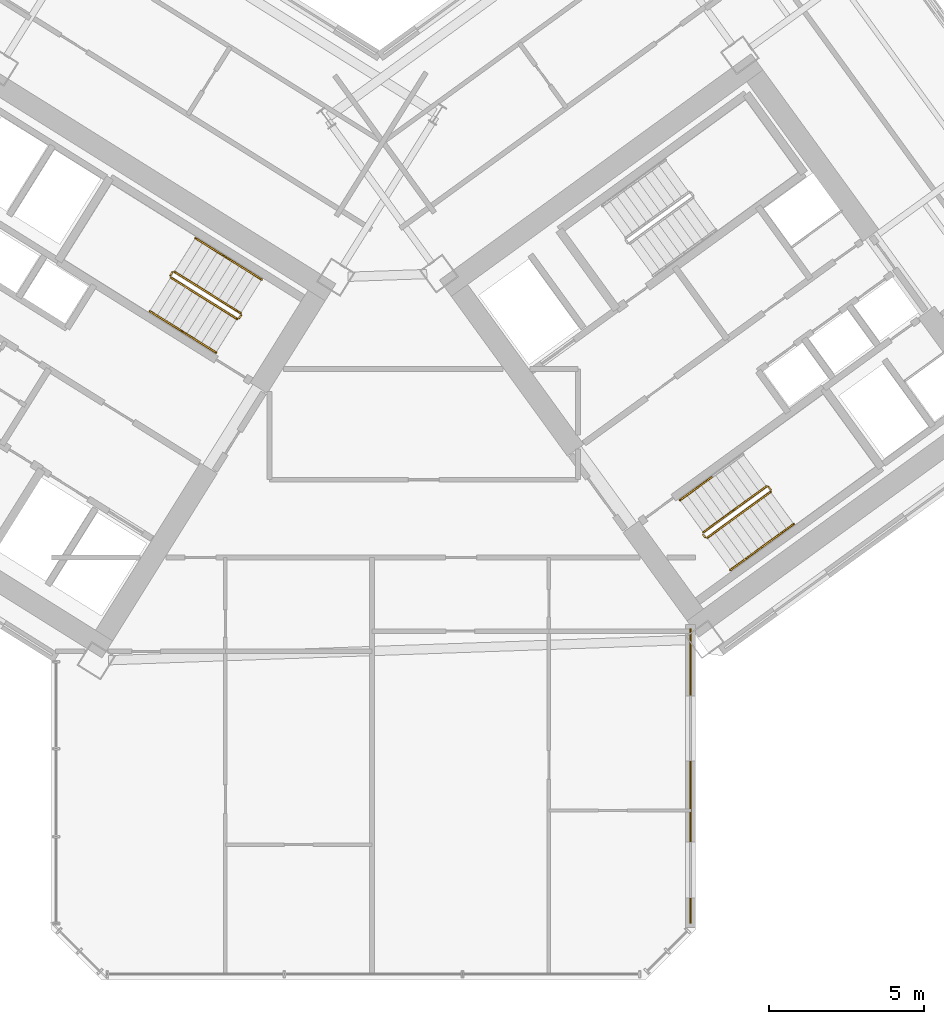
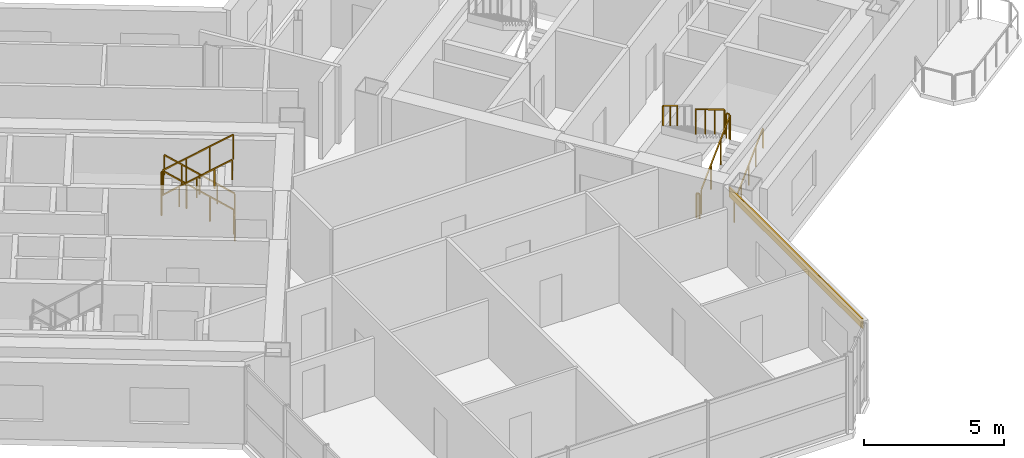
# One storey, part 19 of 21: 15 railings, 1 covering.
"""IFC4 building model written with IfcOpenShell, lengths in metres."""

from ifc_helpers import new_model, si_unit, direction, frame, origin, origin_2d, place, context, subcontext, project, spatial, rectangle, extrude, source, transform, mapped, material, layer, layer_set, type_object, element, save


model = new_model("IFC4")

# Units and contexts
model_context = context("Model", 3, precision=1e-05, world=origin(), true_north=direction((0.0, 1.0)))
body_context = subcontext(model_context, "Body", "Model", "MODEL_VIEW")
ifc_project = project(units=[si_unit("LENGTHUNIT", "METRE"), si_unit("AREAUNIT", "SQUARE_METRE"), si_unit("VOLUMEUNIT", "CUBIC_METRE"), si_unit("PLANEANGLEUNIT", "RADIAN"), si_unit("MASSUNIT", "GRAM", prefix="KILO")], contexts=[model_context])

# Site, building, storey
site_placement = place(None, origin())
site = spatial("IfcSite", under=ifc_project, at=site_placement, CompositionType="ELEMENT")
building_placement = place(site_placement, origin())
building = spatial("IfcBuilding", under=site, at=building_placement, Name="Tlacorven Tower", CompositionType="ELEMENT")
storey_placement = place(building_placement, frame((0.0, 0.0, 90.0)))
storey = spatial("IfcBuildingStorey", under=building, at=storey_placement, Name="L22", CompositionType="ELEMENT", Elevation=90.0)

# Covering
ifc_material_1 = material(Name="Precast concrete C45/55", Category="concrete")
ifc_layer = layer(ifc_material_1, 0.06005859375)
ifc_layer_set = layer_set([ifc_layer], Name="Precast concrete C45/55")
covering_type = type_object("IfcCoveringType", Name="CV-CLD-TERC", PredefinedType="CLADDING", material=ifc_layer_set)
shared_shape_1 = source(origin(), body_context, "Body", "SweptSolid", [
    extrude(rectangle(XDim=9.49462890625, YDim=0.06005859375, at=origin_2d()), origin(), (0.0, 0.0, 1.0), 0.419921875),
])
covering_placement = place(storey_placement, frame((52.239990234375, 8.363525390625, 2.929931640625), z_axis=(0.0, 0.0, 1.0), x_axis=(0.0, -1.0, 0.0)))
element("IfcCovering", 1, at=covering_placement, inside=storey, type_object=covering_type, Name="L22 Masonry-Frame Spandrel Cladding 7", PredefinedType="CLADDING", context=body_context, shape_type="MappedRepresentation", body=[
    mapped(shared_shape_1, transform((0.0, 0.0, 0.0), scale=1.0)),
])

# Railings
ifc_material_2 = material(Name="Aluminium and painted steel balustrade", Category="steel")
railing_type_1 = type_object("IfcRailingType", Name="RL-GRD-1100", PredefinedType="GUARDRAIL", material=ifc_material_2)
shared_shape_2 = source(origin(), body_context, "Body", "SweptSolid", [
    extrude(rectangle(XDim=0.048095703125, YDim=0.048095703125, at=origin_2d()), frame((0.0, 0.0, 1.076171875), z_axis=(-0.713319727316, 0.445773895627, 0.540796265334), x_axis=(-0.529955395941, -0.84802551749, 0.0)), (0.0, 0.0, 1.0), 2.995849609375),
    extrude(rectangle(XDim=0.0419921875, YDim=0.0419921875, at=origin_2d()), origin(), (0.0, 0.0, 1.0), 1.052001953125),
    extrude(rectangle(XDim=0.0419921875, YDim=0.0419921875, at=origin_2d()), frame((-0.71240234375, 0.445068359375, 0.5400390625)), (0.0, 0.0, 1.0), 1.052001953125),
    extrude(rectangle(XDim=0.0419921875, YDim=0.0419921875, at=origin_2d()), frame((-1.424560546875, 0.890380859375, 1.080078125)), (0.0, 0.0, 1.0), 1.052001953125),
    extrude(rectangle(XDim=0.0419921875, YDim=0.0419921875, at=origin_2d()), frame((-2.136962890625, 1.33544921875, 1.6201171875)), (0.0, 0.0, 1.0), 1.052001953125),
])
railing_1_placement = place(storey_placement, frame((37.712158203125, 23.3095703125, 0.179931640625)))
element("IfcRailing", 2, at=railing_1_placement, inside=storey, type_object=railing_type_1, Name="L22 ST-W2 stair guard 1", PredefinedType="GUARDRAIL", context=body_context, shape_type="MappedRepresentation", body=[
    mapped(shared_shape_2, transform((0.0, 0.0, 0.0), scale=1.0)),
])
shared_shape_3 = source(origin(), body_context, "Body", "SweptSolid", [
    extrude(rectangle(XDim=0.048095703125, YDim=0.048095703125, at=origin_2d()), frame((0.0, 0.0, 1.076171875), z_axis=(-0.530546985787, -0.847655529016, 0.0), x_axis=(0.847655529016, -0.530546985787, 0.0)), (0.0, 0.0, 1.0), 0.1201171875),
    extrude(rectangle(XDim=0.0419921875, YDim=0.0419921875, at=origin_2d()), origin(), (0.0, 0.0, 1.0), 1.052001953125),
    extrude(rectangle(XDim=0.0419921875, YDim=0.0419921875, at=origin_2d()), frame((-0.063720703125, -0.101806640625, 0.0)), (0.0, 0.0, 1.0), 1.052001953125),
])
railing_2_placement = place(storey_placement, frame((37.728271484375, 23.24072265625, 0.0)))
element("IfcRailing", 3, at=railing_2_placement, inside=storey, type_object=railing_type_1, Name="L22 ST-W2 stair guard 4", PredefinedType="GUARDRAIL", context=body_context, shape_type="MappedRepresentation", body=[
    mapped(shared_shape_3, transform((0.0, 0.0, 0.0), scale=1.0)),
])
railing_type_2 = type_object("IfcRailingType", Name="RL-HND-0900", PredefinedType="HANDRAIL", material=ifc_material_2)
shared_shape_4 = source(origin(), body_context, "Body", "SweptSolid", [
    extrude(rectangle(XDim=0.048095703125, YDim=0.048095703125, at=origin_2d()), frame((0.0, 0.0, 0.8759765625), z_axis=(-0.713359751793, 0.4457479829, 0.540764828981), x_axis=(-0.529911857636, -0.848052724267, 0.0)), (0.0, 0.0, 1.0), 1.498046875),
    extrude(rectangle(XDim=0.0419921875, YDim=0.0419921875, at=origin_2d()), origin(), (0.0, 0.0, 1.0), 0.851806640625),
    extrude(rectangle(XDim=0.0419921875, YDim=0.0419921875, at=origin_2d()), frame((-0.5341796875, 0.333984375, 0.405029296875)), (0.0, 0.0, 1.0), 0.851806640625),
    extrude(rectangle(XDim=0.0419921875, YDim=0.0419921875, at=origin_2d()), frame((-1.068603515625, 0.667724609375, 0.81005859375)), (0.0, 0.0, 1.0), 0.851806640625),
])
for number, where, name in (
    (4, (38.390625, 24.39501953125, 0.179931640625), "L22 ST-W2 stair handrail 1"),
    (5, (37.322021484375, 25.062744140625, 0.989990234375), "L22 ST-W2 stair handrail 2"),
):
    element("IfcRailing", number, at=place(storey_placement, frame(where)), inside=storey, type_object=railing_type_2, Name=name, PredefinedType="HANDRAIL", context=body_context, shape_type="MappedRepresentation", body=[
        mapped(shared_shape_4, transform((0.0, 0.0, 0.0), scale=1.0)),
    ])
shared_shape_5 = source(origin(), body_context, "Body", "SweptSolid", [
    extrude(rectangle(XDim=0.048095703125, YDim=0.048095703125, at=origin_2d()), frame((0.0, 0.0, 0.8759765625), z_axis=(0.713359751793, -0.4457479829, 0.540764828981), x_axis=(0.529911857636, 0.848052724267, 0.0)), (0.0, 0.0, 1.0), 1.498046875),
    extrude(rectangle(XDim=0.0419921875, YDim=0.0419921875, at=origin_2d()), origin(), (0.0, 0.0, 1.0), 0.851806640625),
    extrude(rectangle(XDim=0.0419921875, YDim=0.0419921875, at=origin_2d()), frame((0.5341796875, -0.333984375, 0.405029296875)), (0.0, 0.0, 1.0), 0.851806640625),
    extrude(rectangle(XDim=0.0419921875, YDim=0.0419921875, at=origin_2d()), frame((1.068603515625, -0.667724609375, 0.81005859375)), (0.0, 0.0, 1.0), 0.851806640625),
])
for number, where, name in (
    (6, (34.7802734375, 23.372802734375, 1.97998046875), "L22 ST-W2 stair handrail 3"),
    (7, (35.848876953125, 22.705078125, 2.7900390625), "L22 ST-W2 stair handrail 4"),
):
    element("IfcRailing", number, at=place(storey_placement, frame(where)), inside=storey, type_object=railing_type_2, Name=name, PredefinedType="HANDRAIL", context=body_context, shape_type="MappedRepresentation", body=[
        mapped(shared_shape_5, transform((0.0, 0.0, 0.0), scale=1.0)),
    ])
shared_shape_6 = source(origin(), body_context, "Body", "SweptSolid", [
    extrude(rectangle(XDim=0.048095703125, YDim=0.048095703125, at=origin_2d()), frame((0.0, 0.0, 1.076171875), z_axis=(-0.531462422766, -0.847081869236, 0.0), x_axis=(0.847081869236, -0.531462422766, 0.0)), (0.0, 0.0, 1.0), 0.119873046875),
    extrude(rectangle(XDim=0.0419921875, YDim=0.0419921875, at=origin_2d()), origin(), (0.0, 0.0, 1.0), 1.052001953125),
    extrude(rectangle(XDim=0.0419921875, YDim=0.0419921875, at=origin_2d()), frame((-0.063720703125, -0.1015625, 0.0)), (0.0, 0.0, 1.0), 1.052001953125),
])
railing_3_placement = place(storey_placement, frame((35.50634765625, 24.62890625, 1.800048828125)))
element("IfcRailing", 8, at=railing_3_placement, inside=storey, type_object=railing_type_1, Name="L22 ST-W2 stair guard 2", PredefinedType="GUARDRAIL", context=body_context, shape_type="MappedRepresentation", body=[
    mapped(shared_shape_6, transform((0.0, 0.0, 0.0), scale=1.0)),
])
shared_shape_7 = source(origin(), body_context, "Body", "SweptSolid", [
    extrude(rectangle(XDim=0.048095703125, YDim=0.048095703125, at=origin_2d()), frame((0.0, 0.0, 1.076171875), z_axis=(0.713385662783, -0.445682681033, 0.540784470897), x_axis=(0.52984217967, 0.848096259066, 0.0)), (0.0, 0.0, 1.0), 2.995849609375),
    extrude(rectangle(XDim=0.0419921875, YDim=0.0419921875, at=origin_2d()), origin(), (0.0, 0.0, 1.0), 1.052001953125),
    extrude(rectangle(XDim=0.0419921875, YDim=0.0419921875, at=origin_2d()), frame((0.71240234375, -0.445068359375, 0.5400390625)), (0.0, 0.0, 1.0), 1.052001953125),
    extrude(rectangle(XDim=0.0419921875, YDim=0.0419921875, at=origin_2d()), frame((1.4248046875, -0.89013671875, 1.080078125)), (0.0, 0.0, 1.0), 1.052001953125),
    extrude(rectangle(XDim=0.0419921875, YDim=0.0419921875, at=origin_2d()), frame((2.13720703125, -1.335205078125, 1.6201171875)), (0.0, 0.0, 1.0), 1.052001953125),
])
railing_4_placement = place(storey_placement, frame((35.45849609375, 24.458251953125, 1.97998046875)))
element("IfcRailing", 9, at=railing_4_placement, inside=storey, type_object=railing_type_1, Name="L22 ST-W2 stair guard 3", PredefinedType="GUARDRAIL", context=body_context, shape_type="MappedRepresentation", body=[
    mapped(shared_shape_7, transform((0.0, 0.0, 0.0), scale=1.0)),
])
shared_shape_8 = source(origin(), body_context, "Body", "SweptSolid", [
    extrude(rectangle(XDim=0.048095703125, YDim=0.048095703125, at=origin_2d()), frame((0.0, 0.0, 1.076171875), z_axis=(-0.587567097037, 0.809175448515, 0.0), x_axis=(-0.809175448515, -0.587567097037, 0.0)), (0.0, 0.0, 1.0), 0.1201171875),
    extrude(rectangle(XDim=0.0419921875, YDim=0.0419921875, at=origin_2d()), origin(), (0.0, 0.0, 1.0), 1.052001953125),
    extrude(rectangle(XDim=0.0419921875, YDim=0.0419921875, at=origin_2d()), frame((-0.070556640625, 0.09716796875, 0.0)), (0.0, 0.0, 1.0), 1.052001953125),
])
for number, where, name in (
    (10, (54.8310546875, 17.605712890625, 1.800048828125), "L22 ST-E2 stair guard 2"),
    (11, (52.71142578125, 16.065673828125, 0.0), "L22 ST-E2 stair guard 4"),
):
    element("IfcRailing", number, at=place(storey_placement, frame(where)), inside=storey, type_object=railing_type_1, Name=name, PredefinedType="GUARDRAIL", context=body_context, shape_type="MappedRepresentation", body=[
        mapped(shared_shape_8, transform((0.0, 0.0, 0.0), scale=1.0)),
    ])
shared_shape_9 = source(origin(), body_context, "Body", "SweptSolid", [
    extrude(rectangle(XDim=0.048095703125, YDim=0.048095703125, at=origin_2d()), frame((0.0, 0.0, 0.8759765625), z_axis=(0.680516055757, 0.494372502302, 0.540826891737), x_axis=(-0.587745292299, 0.809046025502, 0.0)), (0.0, 0.0, 1.0), 1.497802734375),
    extrude(rectangle(XDim=0.0419921875, YDim=0.0419921875, at=origin_2d()), origin(), (0.0, 0.0, 1.0), 0.851806640625),
    extrude(rectangle(XDim=0.0419921875, YDim=0.0419921875, at=origin_2d()), frame((0.509765625, 0.3701171875, 0.405029296875)), (0.0, 0.0, 1.0), 0.851806640625),
    extrude(rectangle(XDim=0.0419921875, YDim=0.0419921875, at=origin_2d()), frame((1.019287109375, 0.740478515625, 0.81005859375)), (0.0, 0.0, 1.0), 0.851806640625),
])
railing_5_placement = place(storey_placement, frame((54.552978515625, 15.759765625, 0.989990234375)))
element("IfcRailing", 12, at=railing_5_placement, inside=storey, type_object=railing_type_2, Name="L22 ST-E2 stair handrail 2", PredefinedType="HANDRAIL", context=body_context, shape_type="MappedRepresentation", body=[
    mapped(shared_shape_9, transform((0.0, 0.0, 0.0), scale=1.0)),
])
shared_shape_10 = source(origin(), body_context, "Body", "SweptSolid", [
    extrude(rectangle(XDim=0.048095703125, YDim=0.048095703125, at=origin_2d()), frame((0.0, 0.0, 0.8759765625), z_axis=(-0.680461216233, -0.494495647917, 0.540783309093), x_axis=(0.587872112667, -0.808953879494, 0.0)), (0.0, 0.0, 1.0), 1.498046875),
    extrude(rectangle(XDim=0.0419921875, YDim=0.0419921875, at=origin_2d()), origin(), (0.0, 0.0, 1.0), 0.851806640625),
    extrude(rectangle(XDim=0.0419921875, YDim=0.0419921875, at=origin_2d()), frame((-0.509765625, -0.370361328125, 0.405029296875)), (0.0, 0.0, 1.0), 0.851806640625),
    extrude(rectangle(XDim=0.0419921875, YDim=0.0419921875, at=origin_2d()), frame((-1.019287109375, -0.74072265625, 0.81005859375)), (0.0, 0.0, 1.0), 0.851806640625),
])
railing_6_placement = place(storey_placement, frame((52.9189453125, 18.0087890625, 2.7900390625)))
element("IfcRailing", 13, at=railing_6_placement, inside=storey, type_object=railing_type_2, Name="L22 ST-E2 stair handrail 4", PredefinedType="HANDRAIL", context=body_context, shape_type="MappedRepresentation", body=[
    mapped(shared_shape_10, transform((0.0, 0.0, 0.0), scale=1.0)),
])
shared_shape_11 = source(origin(), body_context, "Body", "SweptSolid", [
    extrude(rectangle(XDim=0.048095703125, YDim=0.048095703125, at=origin_2d()), frame((0.0, 0.0, 1.076171875), z_axis=(0.680532390839, 0.494406659708, 0.54077511024), x_axis=(-0.587762637553, 0.809033424462, 0.0)), (0.0, 0.0, 1.0), 2.995849609375),
    extrude(rectangle(XDim=0.0419921875, YDim=0.0419921875, at=origin_2d()), origin(), (0.0, 0.0, 1.0), 1.052001953125),
    extrude(rectangle(XDim=0.0419921875, YDim=0.0419921875, at=origin_2d()), frame((0.6796875, 0.49365234375, 0.5400390625)), (0.0, 0.0, 1.0), 1.052001953125),
    extrude(rectangle(XDim=0.0419921875, YDim=0.0419921875, at=origin_2d()), frame((1.359130859375, 0.987548828125, 1.080078125)), (0.0, 0.0, 1.0), 1.052001953125),
    extrude(rectangle(XDim=0.0419921875, YDim=0.0419921875, at=origin_2d()), frame((2.038818359375, 1.481201171875, 1.6201171875)), (0.0, 0.0, 1.0), 1.052001953125),
])
railing_7_placement = place(storey_placement, frame((52.78125, 16.0546875, 0.179931640625)))
element("IfcRailing", 14, at=railing_7_placement, inside=storey, type_object=railing_type_1, Name="L22 ST-E2 stair guard 1", PredefinedType="GUARDRAIL", context=body_context, shape_type="MappedRepresentation", body=[
    mapped(shared_shape_11, transform((0.0, 0.0, 0.0), scale=1.0)),
])
shared_shape_12 = source(origin(), body_context, "Body", "SweptSolid", [
    extrude(rectangle(XDim=0.048095703125, YDim=0.048095703125, at=origin_2d()), frame((0.0, 0.0, 1.076171875), z_axis=(-0.680532390839, -0.494406659708, 0.54077511024), x_axis=(0.587762637553, -0.809033424462, 0.0)), (0.0, 0.0, 1.0), 2.995849609375),
    extrude(rectangle(XDim=0.0419921875, YDim=0.0419921875, at=origin_2d()), origin(), (0.0, 0.0, 1.0), 1.052001953125),
    extrude(rectangle(XDim=0.0419921875, YDim=0.0419921875, at=origin_2d()), frame((-0.6796875, -0.49365234375, 0.5400390625)), (0.0, 0.0, 1.0), 1.052001953125),
    extrude(rectangle(XDim=0.0419921875, YDim=0.0419921875, at=origin_2d()), frame((-1.359130859375, -0.987548828125, 1.080078125)), (0.0, 0.0, 1.0), 1.052001953125),
    extrude(rectangle(XDim=0.0419921875, YDim=0.0419921875, at=origin_2d()), frame((-2.038818359375, -1.481201171875, 1.6201171875)), (0.0, 0.0, 1.0), 1.052001953125),
])
railing_8_placement = place(storey_placement, frame((54.690673828125, 17.7138671875, 1.97998046875)))
element("IfcRailing", 15, at=railing_8_placement, inside=storey, type_object=railing_type_1, Name="L22 ST-E2 stair guard 3", PredefinedType="GUARDRAIL", context=body_context, shape_type="MappedRepresentation", body=[
    mapped(shared_shape_12, transform((0.0, 0.0, 0.0), scale=1.0)),
])
shared_shape_13 = source(origin(), body_context, "Body", "SweptSolid", [
    extrude(rectangle(XDim=0.048095703125, YDim=0.048095703125, at=origin_2d()), frame((0.0, 0.0, 0.8759765625), z_axis=(0.680461216233, 0.494495647917, 0.540783309093), x_axis=(-0.587872112667, 0.808953879494, 0.0)), (0.0, 0.0, 1.0), 1.498046875),
    extrude(rectangle(XDim=0.0419921875, YDim=0.0419921875, at=origin_2d()), origin(), (0.0, 0.0, 1.0), 0.851806640625),
    extrude(rectangle(XDim=0.0419921875, YDim=0.0419921875, at=origin_2d()), frame((0.509765625, 0.370361328125, 0.405029296875)), (0.0, 0.0, 1.0), 0.851806640625),
    extrude(rectangle(XDim=0.0419921875, YDim=0.0419921875, at=origin_2d()), frame((1.019287109375, 0.74072265625, 0.81005859375)), (0.0, 0.0, 1.0), 0.851806640625),
])
railing_9_placement = place(storey_placement, frame((53.53369140625, 15.01904296875, 0.179931640625)))
element("IfcRailing", 16, at=railing_9_placement, inside=storey, type_object=railing_type_2, Name="L22 ST-E2 stair handrail 1", PredefinedType="HANDRAIL", context=body_context, shape_type="MappedRepresentation", body=[
    mapped(shared_shape_13, transform((0.0, 0.0, 0.0), scale=1.0)),
])

save(model, "model.ifc")
